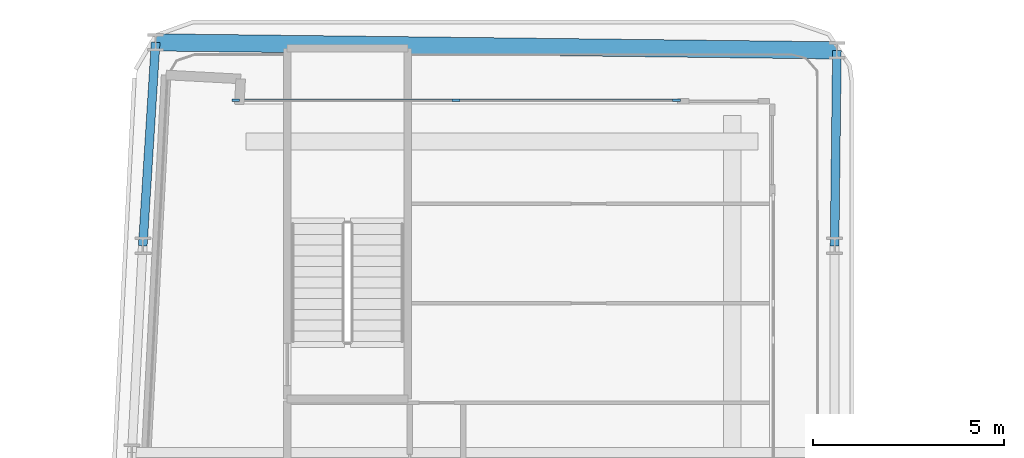
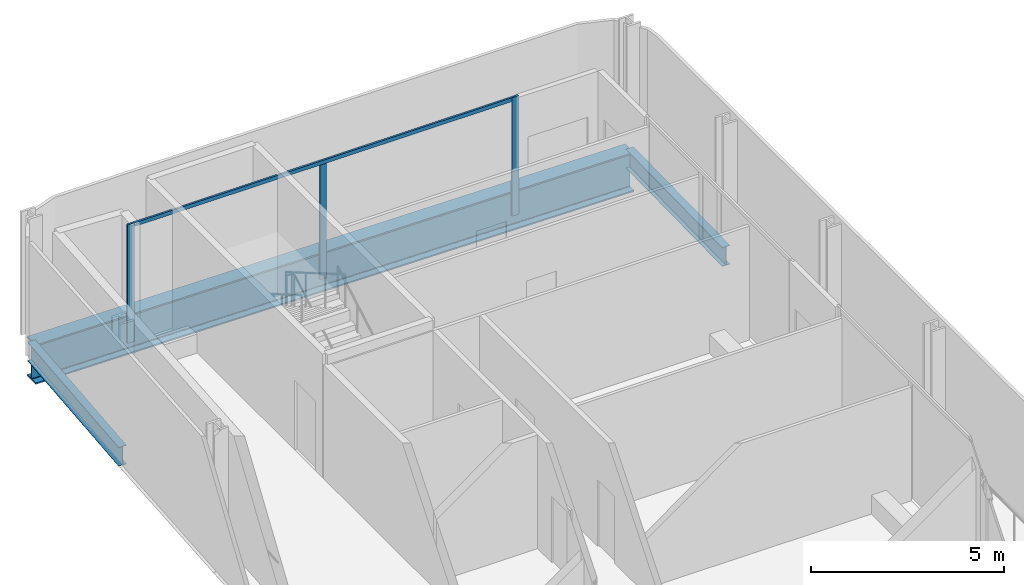
# One storey, part 9 of 27: 4 members, 3 beams, 1 element without a shape of its own.
"""IFC4 building model written with IfcOpenShell, lengths in metres."""

from ifc_helpers import new_model, si_unit, direction, frame, origin, origin_2d, place, context, subcontext, project, spatial, rectangle, i_section, extrude, material, layer, layer_set, material_profile, profile_set, type_object, element, aggregate, save


model = new_model("IFC4")

# Units and contexts
model_context = context("Model", 3, precision=1e-05, world=origin(), true_north=direction((0.0, 1.0)))
body_context = subcontext(model_context, "Body", "Model", "MODEL_VIEW")
ifc_project = project(units=[si_unit("LENGTHUNIT", "METRE"), si_unit("AREAUNIT", "SQUARE_METRE"), si_unit("VOLUMEUNIT", "CUBIC_METRE"), si_unit("PLANEANGLEUNIT", "RADIAN"), si_unit("MASSUNIT", "GRAM", prefix="KILO")], contexts=[model_context])

# Site, building, storey
site_placement = place(None, origin())
site = spatial("IfcSite", under=ifc_project, at=site_placement, CompositionType="ELEMENT")
building_placement = place(site_placement, origin())
building = spatial("IfcBuilding", under=site, at=building_placement, Name="Kheshtan School and Residences Tower", CompositionType="ELEMENT")
storey_placement = place(building_placement, frame((0.0, 0.0, 101.89990234375)))
storey = spatial("IfcBuildingStorey", under=building, at=storey_placement, Name="L23", CompositionType="ELEMENT", Elevation=101.89990234375)

# Beams
ifc_material_1 = material(Name="Steel ASTM A992 Grade 50", Category="steel")
ifc_material_profile_1 = material_profile(ifc_material_1, i_section(OverallWidth=0.22802734375, OverallDepth=0.60302734375, WebThickness=0.010498046875, FlangeThickness=0.014892578125, FilletRadius=0.013427734375, at=origin_2d()), Name="W610x101")
ifc_profile_set_1 = profile_set([ifc_material_profile_1], Name="Steel ASTM A992 Grade 50")
beam_type_1 = type_object("IfcBeamType", Name="Beam SP2 W610x101 ASTM A992 Grade 50", PredefinedType="BEAM", material=ifc_profile_set_1)
beam_1_placement = place(storey_placement, frame((47.660888671875, 88.506103515625, -0.451416015625), z_axis=(-0.011904487479, -0.999929139078, 0.0), x_axis=(0.999929139078, -0.011904487479, 0.0)))
element("IfcBeam", 1, at=beam_1_placement, inside=storey, type_object=beam_type_1, Name="Spandrel beam C092-C091", PredefinedType="BEAM", context=body_context, shape_type="SweptSolid", body=[
    extrude(i_section(OverallWidth=0.22802734375, OverallDepth=0.60302734375, WebThickness=0.010498046875, FlangeThickness=0.014892578125, FilletRadius=0.013427734375, at=origin_2d()), origin(), (0.0, 0.0, 1.0), 5.1064453125),
])
beam_2_placement = place(storey_placement, frame((29.527099609375, 83.39990234375, -0.451416015625), z_axis=(0.063077482832, 0.998008632808, 0.0), x_axis=(-0.998008632808, 0.063077482832, 0.0)))
element("IfcBeam", 2, at=beam_2_placement, inside=storey, type_object=beam_type_1, Name="Spandrel beam C090-C097", PredefinedType="BEAM", context=body_context, shape_type="SweptSolid", body=[
    extrude(i_section(OverallWidth=0.22802734375, OverallDepth=0.60302734375, WebThickness=0.010498046875, FlangeThickness=0.014892578125, FilletRadius=0.013427734375, at=origin_2d()), origin(), (0.0, 0.0, 1.0), 5.32568359375),
])

# Curtain wall, members
ifc_material_2 = material(Name="Clear low-e glass in thermally broken aluminium frame", Category="aluminium")
ifc_layer = layer(ifc_material_2, 0.199951171875)
ifc_layer_set = layer_set([ifc_layer], Name="Curtain wall CW-L")
curtain_wall_type = type_object("IfcCurtainWallType", Name="Curtain wall CW-L", PredefinedType="NOTDEFINED", material=ifc_layer_set)
curtain_wall_placement = place(storey_placement, origin())
curtain_wall = element("IfcCurtainWall", 3, at=curtain_wall_placement, inside=storey, type_object=curtain_wall_type, Name="Curtain wall CWL3", PredefinedType="NOTDEFINED")
ifc_material_3 = material(Name="Thermally broken aluminium, dark bronze anodised", Category="aluminium")
ifc_material_profile_2 = material_profile(ifc_material_3, rectangle(XDim=0.06005859375, YDim=0.199951171875, at=origin_2d()), Name="CW-L mullion 60x200")
ifc_profile_set_2 = profile_set([ifc_material_profile_2], Name="Thermally broken aluminium, dark bronze anodised")
member_type_1 = type_object("IfcMemberType", Name="CW-L mullion 60x200", PredefinedType="MULLION", material=ifc_profile_set_2)
member_1_placement = place(storey_placement, frame((31.9541015625, 87.199951171875, 0.0), z_axis=(0.0, 0.0, 1.0), x_axis=(0.0, 1.0, 0.0)))
member_1 = element("IfcMember", 4, at=member_1_placement, type_object=member_type_1, Name="CWL3 mullion 1", PredefinedType="MULLION", context=body_context, shape_type="SweptSolid", body=[
    extrude(rectangle(XDim=0.06005859375, YDim=0.199951171875, at=origin_2d()), origin(), (0.0, 0.0, 1.0), 3.75),
])
member_2_placement = place(storey_placement, frame((37.7119140625, 87.199951171875, 0.0), z_axis=(0.0, 0.0, 1.0), x_axis=(0.0, 1.0, 0.0)))
member_2 = element("IfcMember", 5, at=member_2_placement, type_object=member_type_1, Name="CWL3 mullion 2", PredefinedType="MULLION", context=body_context, shape_type="SweptSolid", body=[
    extrude(rectangle(XDim=0.06005859375, YDim=0.199951171875, at=origin_2d()), origin(), (0.0, 0.0, 1.0), 3.630126953125),
])
member_3_placement = place(storey_placement, frame((43.469970703125, 87.199951171875, 0.0), z_axis=(0.0, 0.0, 1.0), x_axis=(0.0, 1.0, 0.0)))
member_3 = element("IfcMember", 6, at=member_3_placement, type_object=member_type_1, Name="CWL3 mullion 3", PredefinedType="MULLION", context=body_context, shape_type="SweptSolid", body=[
    extrude(rectangle(XDim=0.06005859375, YDim=0.199951171875, at=origin_2d()), origin(), (0.0, 0.0, 1.0), 3.75),
])
ifc_material_profile_3 = material_profile(ifc_material_3, rectangle(XDim=0.06005859375, YDim=0.1201171875, at=origin_2d()), Name="CW-L transom 60x120")
ifc_profile_set_3 = profile_set([ifc_material_profile_3], Name="Thermally broken aluminium, dark bronze anodised")
member_type_2 = type_object("IfcMemberType", Name="CW-L transom 60x120", PredefinedType="USERDEFINED", material=ifc_profile_set_3)
member_4_placement = place(storey_placement, frame((31.98388671875, 87.199951171875, 3.690185546875), z_axis=(1.0, 0.0, 0.0), x_axis=(0.0, 1.0, 0.0)))
member_4 = element("IfcMember", 7, at=member_4_placement, type_object=member_type_2, Name="CWL3 transom 1", ObjectType="TRANSOM", PredefinedType="USERDEFINED", context=body_context, shape_type="SweptSolid", body=[
    extrude(rectangle(XDim=0.06005859375, YDim=0.1201171875, at=origin_2d()), origin(), (0.0, 0.0, 1.0), 11.4560546875),
])
aggregate(curtain_wall, [member_1, member_2, member_3, member_4])

# Beam
ifc_material_profile_4 = material_profile(ifc_material_1, i_section(OverallWidth=0.449951171875, OverallDepth=1.25, WebThickness=0.02490234375, FlangeThickness=0.044921875, FilletRadius=0.03759765625, at=origin_2d()), Name="WWF1250x546")
ifc_profile_set_4 = profile_set([ifc_material_profile_4], Name="Steel ASTM A992 Grade 50")
beam_type_2 = type_object("IfcBeamType", Name="Transfer girder TG4 WWF1250x546 ASTM A992 Grade 50", PredefinedType="BEAM", material=ifc_profile_set_4)
beam_3_placement = place(storey_placement, frame((29.863037109375, 88.715087890625, -0.77490234375), z_axis=(0.999931068525, -0.011741303082, 0.0), x_axis=(0.011741303082, 0.999931068525, 0.0)))
element("IfcBeam", 8, at=beam_3_placement, inside=storey, type_object=beam_type_2, Name="Transfer girder C097-C092", PredefinedType="BEAM", context=body_context, shape_type="SweptSolid", body=[
    extrude(i_section(OverallWidth=0.449951171875, OverallDepth=1.25, WebThickness=0.02490234375, FlangeThickness=0.044921875, FilletRadius=0.03759765625, at=origin_2d()), origin(), (0.0, 0.0, 1.0), 17.799072265625),
])

save(model, "model.ifc")
